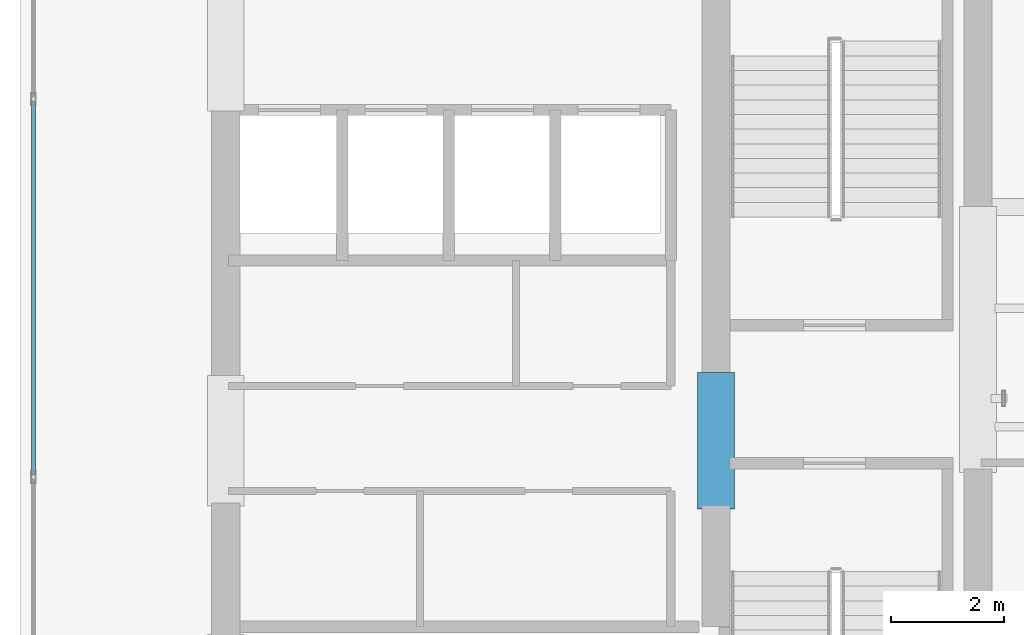
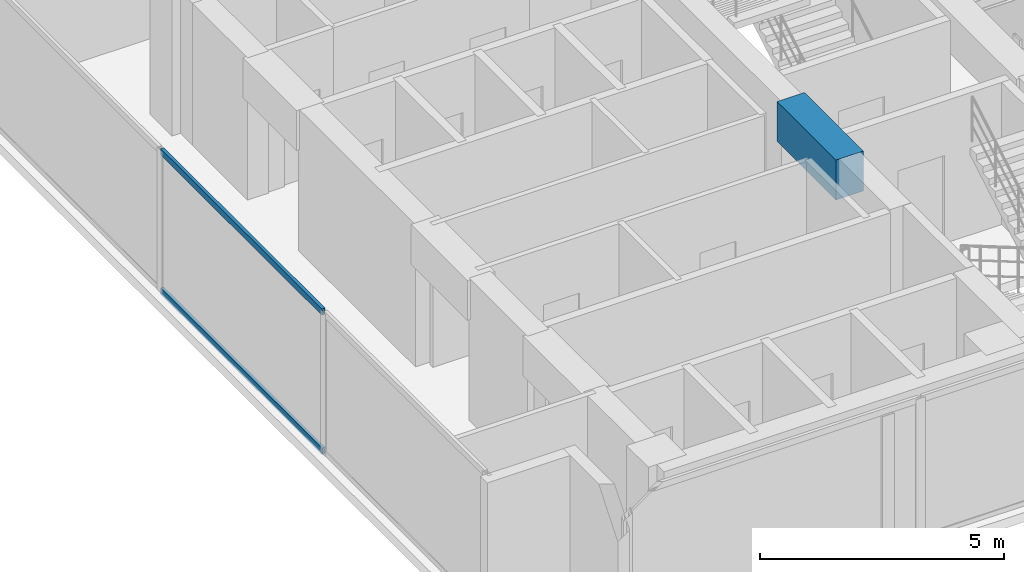
# One storey, part 3 of 24: 2 members, 1 beam, 1 element without a shape of its own.
"""IFC4 building model written with IfcOpenShell, lengths in metres."""

from ifc_helpers import new_model, si_unit, direction, frame, origin, origin_with_axes, origin_2d, place, context, subcontext, project, spatial, rectangle, hollow_rectangle, extrude, source, transform, mapped, material, layer, layer_set, material_profile, profile_set, type_object, element, aggregate, save


model = new_model("IFC4")

# Units and contexts
model_context = context("Model", 3, precision=1e-05, world=origin(), true_north=direction((0.0, 1.0)))
body_context = subcontext(model_context, "Body", "Model", "MODEL_VIEW")
ifc_project = project(units=[si_unit("LENGTHUNIT", "METRE"), si_unit("AREAUNIT", "SQUARE_METRE"), si_unit("VOLUMEUNIT", "CUBIC_METRE"), si_unit("PLANEANGLEUNIT", "RADIAN"), si_unit("MASSUNIT", "GRAM", prefix="KILO")], contexts=[model_context])

# Site, building, storey
site_placement = place(None, origin())
site = spatial("IfcSite", under=ifc_project, at=site_placement, CompositionType="ELEMENT")
building_placement = place(site_placement, origin())
building = spatial("IfcBuilding", under=site, at=building_placement, Name="Kolvaren Waterfront Exchange", CompositionType="ELEMENT")
storey_placement = place(building_placement, frame((0.0, 0.0, 300.800048828125)))
storey = spatial("IfcBuildingStorey", under=building, at=storey_placement, Name="L77", CompositionType="ELEMENT", Elevation=300.800048828125)

# Beam
ifc_material_1 = material(Name="Concrete C60/75", Category="concrete")
ifc_material_profile_1 = material_profile(ifc_material_1, rectangle(XDim=0.64990234375, YDim=1.0, at=origin_2d()), Name="RC-CB-1000x650")
ifc_profile_set_1 = profile_set([ifc_material_profile_1], Name="Concrete C60/75")
beam_type = type_object("IfcBeamType", Name="STR-CB-1000", PredefinedType="SPANDREL", material=ifc_profile_set_1)
beam_placement = place(storey_placement, frame((16.14990234375, 12.0400390625, 3.06005859375), z_axis=(0.0, 1.0, 0.0), x_axis=(-1.0, 0.0, 0.0)))
element("IfcBeam", 1, at=beam_placement, inside=storey, type_object=beam_type, Name="L77 core coupling beam 6", PredefinedType="SPANDREL", context=body_context, shape_type="SweptSolid", body=[
    extrude(rectangle(XDim=0.64990234375, YDim=1.0, at=origin_2d()), origin(), (0.0, 0.0, 1.0), 2.419921875),
])

# Curtain wall, members
ifc_material_2 = material(Name="Anodised aluminium 6063-T6", Category="aluminium")
ifc_layer = layer(ifc_material_2, 0.219970703125, Name="Anodised aluminium 6063-T6")
ifc_layer_set = layer_set([ifc_layer], Name="Anodised aluminium 6063-T6")
curtain_wall_type = type_object("IfcCurtainWallType", Name="ARC-CW-SYS2", PredefinedType="USERDEFINED", material=ifc_layer_set)
curtain_wall_placement = place(storey_placement, origin())
curtain_wall = element("IfcCurtainWall", 2, at=curtain_wall_placement, inside=storey, type_object=curtain_wall_type, Name="L77 stick curtain wall CW2 (CW-L77-W)", ObjectType="STICK CURTAIN WALL", PredefinedType="USERDEFINED")
ifc_material_profile_2 = material_profile(ifc_material_2, hollow_rectangle(XDim=0.074951171875, YDim=0.159912109375, WallThickness=0.00439453125, at=origin_2d()), Name="ALU-TRN-160x75x4.5")
ifc_profile_set_2 = profile_set([ifc_material_profile_2], Name="Anodised aluminium 6063-T6")
member_type = type_object("IfcMemberType", Name="ARC-CWT-160", PredefinedType="USERDEFINED", material=ifc_profile_set_2)
shared_shape = source(origin_with_axes(), body_context, "Body", "SweptSolid", [
    extrude(hollow_rectangle(XDim=0.074951171875, YDim=0.159912109375, WallThickness=0.00439453125, at=origin_2d()), origin(), (0.0, 0.0, 1.0), 6.625244140625),
])
member_1_placement = place(storey_placement, frame((4.0400390625, 12.645263671875, 0.037353515625), z_axis=(0.0, 1.0, 0.0), x_axis=(-1.0, 0.0, 0.0)))
member_1 = element("IfcMember", 3, at=member_1_placement, type_object=member_type, Name="CW2 transom 2.1", ObjectType="TRANSOM", PredefinedType="USERDEFINED", context=body_context, shape_type="MappedRepresentation", body=[
    mapped(shared_shape, transform((0.0, 0.0, 0.0), x_axis=(1.0, 0.0, 0.0), y_axis=(0.0, 1.0, 0.0), z_axis=(0.0, 0.0, 1.0), scale=1.0)),
])
member_2_placement = place(storey_placement, frame((4.0400390625, 12.645263671875, 3.5224609375), z_axis=(0.0, 1.0, 0.0), x_axis=(-1.0, 0.0, 0.0)))
member_2 = element("IfcMember", 4, at=member_2_placement, type_object=member_type, Name="CW2 transom 2.2", ObjectType="TRANSOM", PredefinedType="USERDEFINED", context=body_context, shape_type="MappedRepresentation", body=[
    mapped(shared_shape, transform((0.0, 0.0, 0.0), x_axis=(1.0, 0.0, 0.0), y_axis=(0.0, 1.0, 0.0), z_axis=(0.0, 0.0, 1.0), scale=1.0)),
])
aggregate(curtain_wall, [member_1, member_2])

save(model, "model.ifc")
